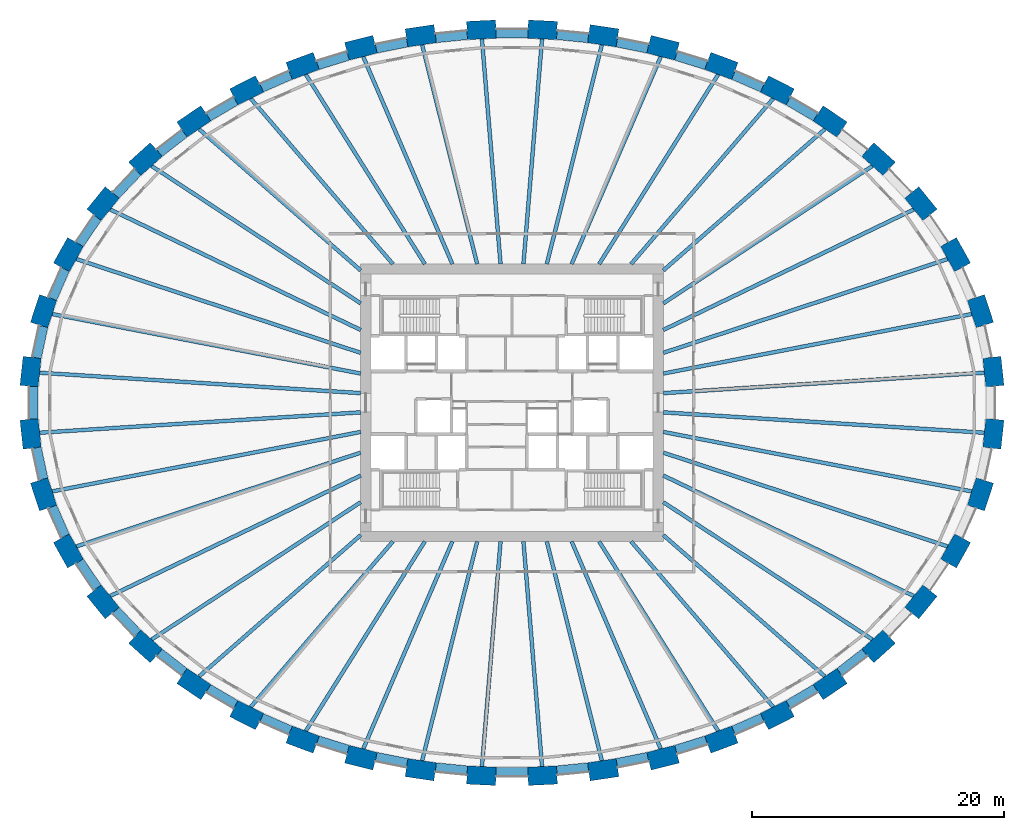
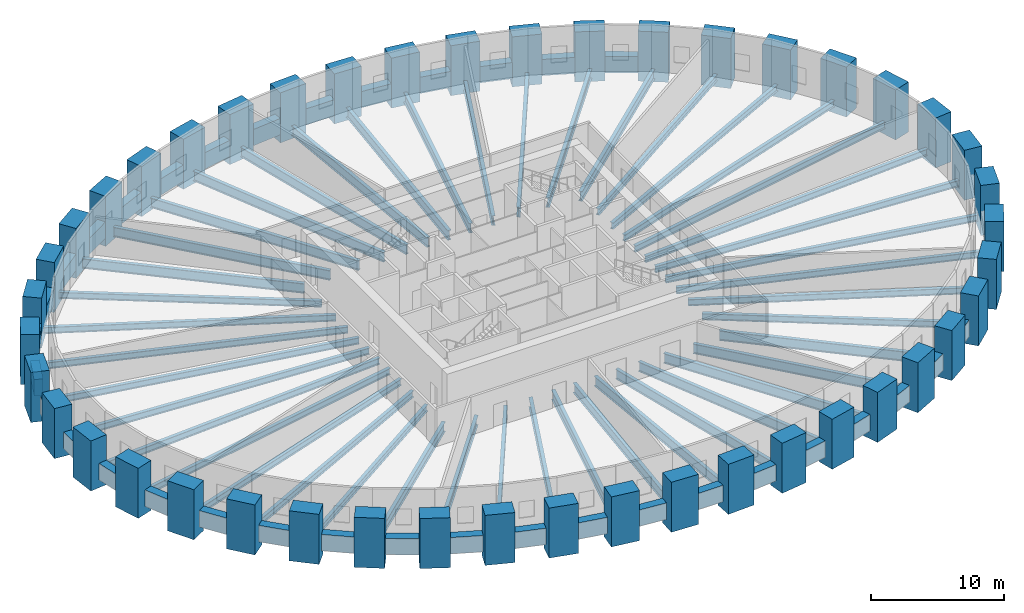
# One storey, part 1 of 9: 78 beams, 44 columns.
"""IFC4 building model written with IfcOpenShell, lengths in metres."""

from ifc_helpers import new_model, si_unit, direction, frame, origin, origin_2d, place, context, subcontext, project, spatial, rectangle, i_section, extrude, source, transform, mapped, material, material_profile, profile_set, type_object, element, save


model = new_model("IFC4")

# Units and contexts
model_context = context("Model", 3, precision=1e-05, world=origin(), true_north=direction((0.0, 1.0)))
body_context = subcontext(model_context, "Body", "Model", "MODEL_VIEW")
ifc_project = project(units=[si_unit("LENGTHUNIT", "METRE"), si_unit("AREAUNIT", "SQUARE_METRE"), si_unit("VOLUMEUNIT", "CUBIC_METRE"), si_unit("PLANEANGLEUNIT", "RADIAN"), si_unit("MASSUNIT", "GRAM", prefix="KILO")], contexts=[model_context])

# Site, building, storey
site_placement = place(None, origin())
site = spatial("IfcSite", under=ifc_project, at=site_placement, CompositionType="ELEMENT")
building_placement = place(site_placement, origin())
building = spatial("IfcBuilding", under=site, at=building_placement, Name="Embergate Tower", CompositionType="ELEMENT")
storey_placement = place(building_placement, frame((0.0, 0.0, 147.60009765625)))
storey = spatial("IfcBuildingStorey", under=building, at=storey_placement, Name="L32", CompositionType="ELEMENT", Elevation=147.60009765625)

# Columns
ifc_material_1 = material(Name="Concrete C70", Category="concrete")
ifc_material_profile_1 = material_profile(ifc_material_1, rectangle(XDim=1.449951171875, YDim=2.300048828125, at=origin_2d()), Name="RC 1450x2300")
ifc_profile_set_1 = profile_set([ifc_material_profile_1], Name="Concrete C70")
column_type = type_object("IfcColumnType", Name="Ring column RC 1450x2300 C70", PredefinedType="COLUMN", material=ifc_profile_set_1)
shared_shape_1 = source(origin(), body_context, "Body", "SweptSolid", [
    extrude(rectangle(XDim=1.449951171875, YDim=2.300048828125, at=origin_2d()), origin(), (0.0, 0.0, 1.0), 4.599853515625),
])
for number, where, z_axis, x_axis, name in (
    (1, (38.173095703125, 2.4560546875, -1.5), (0.0, 0.0, 1.0), (0.99428589498, 0.106749983816, 0.0), "COL-L32-00"),
    (2, (37.14111328125, 7.256103515625, -1.5), (0.0, 0.0, 1.0), (0.950754033697, 0.309946394413, 0.0), "COL-L32-01"),
    (3, (35.173095703125, 11.742919921875, -1.5), (0.0, 0.0, 1.0), (0.873491969053, 0.486838556403, 0.0), "COL-L32-02"),
    (4, (32.425048828125, 15.784912109375, -1.5), (0.0, 0.0, 1.0), (0.775914301615, 0.630838328377, 0.0), "COL-L32-03"),
    (5, (29.06103515625, 19.31298828125, -1.5), (0.0, 0.0, 1.0), (0.669208424634, 0.74307475021, 0.0), "COL-L32-04"),
    (6, (25.22607421875, 22.305908203125, -1.5), (0.0, 0.0, 1.0), (0.560378824075, 0.828236423691, 0.0), "COL-L32-05"),
    (7, (21.041015625, 24.76611328125, -1.5), (0.0, 0.0, 1.0), (0.452994952881, 0.891513080478, 0.0), "COL-L32-06"),
    (8, (16.60009765625, 26.7080078125, -1.5), (0.0, 0.0, 1.0), (0.348343015724, 0.93736713373, 0.0), "COL-L32-07"),
    (9, (11.97607421875, 28.14794921875, -1.5), (0.0, 0.0, 1.0), (0.246491603437, 0.969144926951, 0.0), "COL-L32-08"),
    (10, (7.23193359375, 29.10009765625, -1.5), (0.0, 0.0, 1.0), (0.146929011949, 0.989147039346, 0.0), "COL-L32-09"),
    (11, (2.41796875, 29.572998046875, -1.5), (0.0, 0.0, 1.0), (0.048814904854, 0.998807841912, 0.0), "COL-L32-10"),
    (12, (-2.41796875, 29.572998046875, -1.5), (0.0, 0.0, 1.0), (-0.048814904854, 0.998807841912, 0.0), "COL-L32-11"),
    (13, (-7.23193359375, 29.10009765625, -1.5), (0.0, 0.0, 1.0), (-0.146929011949, 0.989147039346, 0.0), "COL-L32-12"),
    (14, (-11.97607421875, 28.14794921875, -1.5), (0.0, 0.0, 1.0), (-0.246491603437, 0.969144926951, 0.0), "COL-L32-13"),
    (15, (-16.60009765625, 26.7080078125, -1.5), (0.0, 0.0, 1.0), (-0.348343015724, 0.93736713373, 0.0), "COL-L32-14"),
    (16, (-21.041015625, 24.76611328125, -1.5), (0.0, 0.0, 1.0), (-0.452994952881, 0.891513080478, 0.0), "COL-L32-15"),
    (17, (-25.22607421875, 22.305908203125, -1.5), (0.0, 0.0, 1.0), (-0.560378824075, 0.828236423691, 0.0), "COL-L32-16"),
    (18, (-29.06103515625, 19.31298828125, -1.5), (0.0, 0.0, 1.0), (-0.669208424634, 0.74307475021, 0.0), "COL-L32-17"),
    (19, (-32.425048828125, 15.784912109375, -1.5), (0.0, 0.0, 1.0), (-0.775914301615, 0.630838328377, 0.0), "COL-L32-18"),
    (20, (-35.173095703125, 11.742919921875, -1.5), (0.0, 0.0, 1.0), (-0.873491969053, 0.486838556403, 0.0), "COL-L32-19"),
    (21, (-37.14111328125, 7.256103515625, -1.5), (0.0, 0.0, 1.0), (-0.950754033697, 0.309946394413, 0.0), "COL-L32-20"),
    (22, (-38.173095703125, 2.4560546875, -1.5), (0.0, 0.0, 1.0), (-0.99428589498, 0.106749983816, 0.0), "COL-L32-21"),
    (23, (-38.173095703125, -2.4560546875, -1.5), (0.0, 0.0, 1.0), (-0.99428589498, -0.106749983816, 0.0), "COL-L32-22"),
    (24, (-37.14111328125, -7.256103515625, -1.5), (0.0, 0.0, 1.0), (-0.950754033697, -0.309946394413, 0.0), "COL-L32-23"),
    (25, (-35.173095703125, -11.742919921875, -1.5), (0.0, 0.0, 1.0), (-0.873491969053, -0.486838556403, 0.0), "COL-L32-24"),
    (26, (-32.425048828125, -15.784912109375, -1.5), (0.0, 0.0, 1.0), (-0.775914301615, -0.630838328377, 0.0), "COL-L32-25"),
    (27, (-29.06103515625, -19.31298828125, -1.5), (0.0, 0.0, 1.0), (-0.669208424634, -0.74307475021, 0.0), "COL-L32-26"),
    (28, (-25.22607421875, -22.305908203125, -1.5), (0.0, 0.0, 1.0), (-0.560378824075, -0.828236423691, 0.0), "COL-L32-27"),
    (29, (-21.041015625, -24.76611328125, -1.5), (0.0, 0.0, 1.0), (-0.452994952881, -0.891513080478, 0.0), "COL-L32-28"),
    (30, (-16.60009765625, -26.7080078125, -1.5), (0.0, 0.0, 1.0), (-0.348343015724, -0.93736713373, 0.0), "COL-L32-29"),
    (31, (-11.97607421875, -28.14794921875, -1.5), (0.0, 0.0, 1.0), (-0.246491603437, -0.969144926951, 0.0), "COL-L32-30"),
    (32, (-7.23193359375, -29.10009765625, -1.5), (0.0, 0.0, 1.0), (-0.146929011949, -0.989147039346, 0.0), "COL-L32-31"),
    (33, (-2.41796875, -29.572998046875, -1.5), (0.0, 0.0, 1.0), (-0.048814904854, -0.998807841912, 0.0), "COL-L32-32"),
    (34, (2.41796875, -29.572998046875, -1.5), (0.0, 0.0, 1.0), (0.048814904854, -0.998807841912, 0.0), "COL-L32-33"),
    (35, (7.23193359375, -29.10009765625, -1.5), (0.0, 0.0, 1.0), (0.146929011949, -0.989147039346, 0.0), "COL-L32-34"),
    (36, (11.97607421875, -28.14794921875, -1.5), (0.0, 0.0, 1.0), (0.246491603437, -0.969144926951, 0.0), "COL-L32-35"),
    (37, (16.60009765625, -26.7080078125, -1.5), (0.0, 0.0, 1.0), (0.348343015724, -0.93736713373, 0.0), "COL-L32-36"),
    (38, (21.041015625, -24.76611328125, -1.5), (0.0, 0.0, 1.0), (0.452994952881, -0.891513080478, 0.0), "COL-L32-37"),
    (39, (25.22607421875, -22.305908203125, -1.5), (0.0, 0.0, 1.0), (0.560378824075, -0.828236423691, 0.0), "COL-L32-38"),
    (40, (29.06103515625, -19.31298828125, -1.5), (0.0, 0.0, 1.0), (0.669208424634, -0.74307475021, 0.0), "COL-L32-39"),
    (41, (32.425048828125, -15.784912109375, -1.5), (0.0, 0.0, 1.0), (0.775914301615, -0.630838328377, 0.0), "COL-L32-40"),
    (42, (35.173095703125, -11.742919921875, -1.5), (0.0, 0.0, 1.0), (0.873491969053, -0.486838556403, 0.0), "COL-L32-41"),
    (43, (37.14111328125, -7.256103515625, -1.5), (0.0, 0.0, 1.0), (0.950754033697, -0.309946394413, 0.0), "COL-L32-42"),
    (44, (38.173095703125, -2.4560546875, -1.5), (0.0, 0.0, 1.0), (0.99428589498, -0.106749983816, 0.0), "COL-L32-43"),
):
    element("IfcColumn", number, at=place(storey_placement, frame(where, z_axis=z_axis, x_axis=x_axis)), inside=storey, type_object=column_type, Name=name, PredefinedType="COLUMN", context=body_context, shape_type="MappedRepresentation", body=[
        mapped(shared_shape_1, transform((0.0, 0.0, 0.0))),
    ])

# Beams
ifc_material_profile_2 = material_profile(ifc_material_1, rectangle(XDim=0.699951171875, YDim=1.5, at=origin_2d()), Name="RC 700x1500")
ifc_profile_set_2 = profile_set([ifc_material_profile_2], Name="Concrete C70")
beam_type_1 = type_object("IfcBeamType", Name="Spandrel beam RC 700x1500 C70", PredefinedType="BEAM", material=ifc_profile_set_2)
shared_shape_2 = source(origin(), body_context, "Body", "SweptSolid", [
    extrude(rectangle(XDim=0.699951171875, YDim=1.5, at=origin_2d()), origin(), (0.0, 0.0, 1.0), 2.5439453125),
])
for number, where, z_axis, x_axis, name in (
    (45, (-37.14404296875, 6.047119140625, 0.0), (-0.210269633901, -0.977643432474, 0.0), (0.977643432474, -0.210269633901, 0.0), "SPN-L32-20"),
    (46, (-37.922119140625, 1.27197265625, 0.0), (0.0, -1.0, 0.0), (1.0, 0.0, 0.0), "SPN-L32-21"),
    (47, (-37.678955078125, -3.56005859375, 0.0), (0.210269633901, -0.977643432474, 0.0), (0.977643432474, 0.210269633901, 0.0), "SPN-L32-22"),
):
    element("IfcBeam", number, at=place(storey_placement, frame(where, z_axis=z_axis, x_axis=x_axis)), inside=storey, type_object=beam_type_1, Name=name, PredefinedType="BEAM", context=body_context, shape_type="MappedRepresentation", body=[
        mapped(shared_shape_2, transform((0.0, 0.0, 0.0))),
    ])
shared_shape_3 = source(origin(), body_context, "Body", "SweptSolid", [
    extrude(rectangle(XDim=0.699951171875, YDim=1.5, at=origin_2d()), origin(), (0.0, 0.0, 1.0), 2.5400390625),
])
for number, where, z_axis, x_axis, name in (
    (48, (-35.416015625, 10.56201171875, 0.0), (-0.401942892026, -0.915664737526, 0.0), (0.915664737526, -0.401942892026, 0.0), "SPN-L32-19"),
    (49, (-36.43701171875, -8.236083984375, 0.0), (0.401942892026, -0.915664737526, 0.0), (0.915664737526, 0.401942892026, 0.0), "SPN-L32-23"),
):
    element("IfcBeam", number, at=place(storey_placement, frame(where, z_axis=z_axis, x_axis=x_axis)), inside=storey, type_object=beam_type_1, Name=name, PredefinedType="BEAM", context=body_context, shape_type="MappedRepresentation", body=[
        mapped(shared_shape_3, transform((0.0, 0.0, 0.0))),
    ])
shared_shape_4 = source(origin(), body_context, "Body", "SweptSolid", [
    extrude(rectangle(XDim=0.699951171875, YDim=1.5, at=origin_2d()), origin(), (0.0, 0.0, 1.0), 2.53076171875),
])
for number, where, z_axis, x_axis, name in (
    (50, (-32.862060546875, 14.657958984375, 0.0), (-0.562201835746, -0.827000057971, 0.0), (0.827000057971, -0.562201835746, 0.0), "SPN-L32-18"),
    (51, (-34.284912109375, -12.56494140625, 0.0), (0.562201835746, -0.827000057971, 0.0), (0.827000057971, 0.562201835746, 0.0), "SPN-L32-24"),
):
    element("IfcBeam", number, at=place(storey_placement, frame(where, z_axis=z_axis, x_axis=x_axis)), inside=storey, type_object=beam_type_1, Name=name, PredefinedType="BEAM", context=body_context, shape_type="MappedRepresentation", body=[
        mapped(shared_shape_4, transform((0.0, 0.0, 0.0))),
    ])
shared_shape_5 = source(origin(), body_context, "Body", "SweptSolid", [
    extrude(rectangle(XDim=0.699951171875, YDim=1.5, at=origin_2d()), origin(), (0.0, 0.0, 1.0), 2.525634765625),
])
for number, where, z_axis, x_axis, name in (
    (52, (-29.674072265625, 18.27490234375, 0.0), (-0.690087108464, -0.723726317562, 0.0), (0.723726317562, -0.690087108464, 0.0), "SPN-L32-17"),
    (53, (-31.4169921875, -16.447021484375, 0.0), (0.690087108464, -0.723726317562, 0.0), (0.723726317562, 0.690087108464, 0.0), "SPN-L32-25"),
):
    element("IfcBeam", number, at=place(storey_placement, frame(where, z_axis=z_axis, x_axis=x_axis)), inside=storey, type_object=beam_type_1, Name=name, PredefinedType="BEAM", context=body_context, shape_type="MappedRepresentation", body=[
        mapped(shared_shape_5, transform((0.0, 0.0, 0.0))),
    ])
shared_shape_6 = source(origin(), body_context, "Body", "SweptSolid", [
    extrude(rectangle(XDim=0.699951171875, YDim=1.5, at=origin_2d()), origin(), (0.0, 0.0, 1.0), 2.51806640625),
])
for number, where, z_axis, x_axis, name in (
    (54, (-25.969970703125, 21.35302734375, 0.0), (-0.788369690111, -0.6152017813, 0.0), (0.6152017813, -0.788369690111, 0.0), "SPN-L32-16"),
    (55, (-27.955078125, -19.803955078125, 0.0), (0.788369690111, -0.6152017813, 0.0), (0.6152017813, 0.788369690111, 0.0), "SPN-L32-26"),
    (56, (25.969970703125, -21.35302734375, 0.0), (0.788369690111, 0.6152017813, 0.0), (-0.6152017813, 0.788369690111, 0.0), "SPN-L32-38"),
):
    element("IfcBeam", number, at=place(storey_placement, frame(where, z_axis=z_axis, x_axis=x_axis)), inside=storey, type_object=beam_type_1, Name=name, PredefinedType="BEAM", context=body_context, shape_type="MappedRepresentation", body=[
        mapped(shared_shape_6, transform((0.0, 0.0, 0.0))),
    ])
shared_shape_7 = source(origin(), body_context, "Body", "SweptSolid", [
    extrude(rectangle(XDim=0.699951171875, YDim=1.5, at=origin_2d()), origin(), (0.0, 0.0, 1.0), 2.513916015625),
])
for number, where, z_axis, x_axis, name in (
    (57, (24.068115234375, 22.64599609375, 0.0), (-0.86209395101, 0.506748477681, 0.0), (-0.506748477681, -0.86209395101, 0.0), "SPN-L32-05"),
    (58, (-21.90087890625, 23.919921875, 0.0), (-0.86209395101, -0.506748477681, 0.0), (0.506748477681, -0.86209395101, 0.0), "SPN-L32-15"),
    (59, (-24.068115234375, -22.64599609375, 0.0), (0.86209395101, -0.506748477681, 0.0), (0.506748477681, 0.86209395101, 0.0), "SPN-L32-27"),
    (60, (21.90087890625, -23.919921875, 0.0), (0.86209395101, 0.506748477681, 0.0), (-0.506748477681, 0.86209395101, 0.0), "SPN-L32-37"),
):
    element("IfcBeam", number, at=place(storey_placement, frame(where, z_axis=z_axis, x_axis=x_axis)), inside=storey, type_object=beam_type_1, Name=name, PredefinedType="BEAM", context=body_context, shape_type="MappedRepresentation", body=[
        mapped(shared_shape_7, transform((0.0, 0.0, 0.0))),
    ])
shared_shape_8 = source(origin(), body_context, "Body", "SweptSolid", [
    extrude(rectangle(XDim=0.699951171875, YDim=1.5, at=origin_2d()), origin(), (0.0, 0.0, 1.0), 2.509521484375),
])
for number, where, z_axis, x_axis, name in (
    (61, (19.85205078125, 24.965087890625, 0.0), (-0.916155102063, 0.400823937613, 0.0), (-0.400823937613, -0.916155102063, 0.0), "SPN-L32-06"),
    (62, (-17.552978515625, 25.970947265625, 0.0), (-0.916155102063, -0.400823937613, 0.0), (0.400823937613, -0.916155102063, 0.0), "SPN-L32-14"),
    (63, (-19.85205078125, -24.965087890625, 0.0), (0.916155102063, -0.400823937613, 0.0), (0.400823937613, 0.916155102063, 0.0), "SPN-L32-28"),
    (64, (17.552978515625, -25.970947265625, 0.0), (0.916155102063, 0.400823937613, 0.0), (-0.400823937613, 0.916155102063, 0.0), "SPN-L32-36"),
):
    element("IfcBeam", number, at=place(storey_placement, frame(where, z_axis=z_axis, x_axis=x_axis)), inside=storey, type_object=beam_type_1, Name=name, PredefinedType="BEAM", context=body_context, shape_type="MappedRepresentation", body=[
        mapped(shared_shape_8, transform((0.0, 0.0, 0.0))),
    ])
shared_shape_9 = source(origin(), body_context, "Body", "SweptSolid", [
    extrude(rectangle(XDim=0.699951171875, YDim=1.5, at=origin_2d()), origin(), (0.0, 0.0, 1.0), 2.50634765625),
])
for number, where, z_axis, x_axis, name in (
    (65, (15.39111328125, 26.756103515625, 0.0), (-0.954815627666, 0.297198783923, 0.0), (-0.297198783923, -0.954815627666, 0.0), "SPN-L32-07"),
    (66, (-12.998046875, 27.5009765625, 0.0), (-0.954815627666, -0.297198783923, 0.0), (0.297198783923, -0.954815627666, 0.0), "SPN-L32-13"),
    (67, (-15.39111328125, -26.756103515625, 0.0), (0.954815627666, -0.297198783923, 0.0), (0.297198783923, 0.954815627666, 0.0), "SPN-L32-29"),
    (68, (12.998046875, -27.5009765625, 0.0), (0.954815627666, 0.297198783923, 0.0), (-0.297198783923, 0.954815627666, 0.0), "SPN-L32-35"),
):
    element("IfcBeam", number, at=place(storey_placement, frame(where, z_axis=z_axis, x_axis=x_axis)), inside=storey, type_object=beam_type_1, Name=name, PredefinedType="BEAM", context=body_context, shape_type="MappedRepresentation", body=[
        mapped(shared_shape_9, transform((0.0, 0.0, 0.0))),
    ])
shared_shape_10 = source(origin(), body_context, "Body", "SweptSolid", [
    extrude(rectangle(XDim=0.699951171875, YDim=1.5, at=origin_2d()), origin(), (0.0, 0.0, 1.0), 2.5029296875),
])
for number, where, z_axis, x_axis, name in (
    (69, (10.76904296875, 28.070068359375, 0.0), (-0.980494293439, 0.196547552853, 0.0), (-0.196547552853, -0.980494293439, 0.0), "SPN-L32-08"),
    (70, (6.0400390625, 28.902099609375, 0.0), (-0.995240775263, 0.097446391697, 0.0), (-0.097446391697, -0.995240775263, 0.0), "SPN-L32-09"),
    (71, (-3.549072265625, 29.14599609375, 0.0), (-0.995240775263, -0.097446391697, 0.0), (0.097446391697, -0.995240775263, 0.0), "SPN-L32-11"),
    (72, (-8.31494140625, 28.56201171875, 0.0), (-0.980494293439, -0.196547552853, 0.0), (0.196547552853, -0.980494293439, 0.0), "SPN-L32-12"),
    (73, (-10.76904296875, -28.070068359375, 0.0), (0.980494293439, -0.196547552853, 0.0), (0.196547552853, 0.980494293439, 0.0), "SPN-L32-30"),
    (74, (-6.0400390625, -28.902099609375, 0.0), (0.995240775263, -0.097446391697, 0.0), (0.097446391697, 0.995240775263, 0.0), "SPN-L32-31"),
    (75, (3.549072265625, -29.14599609375, 0.0), (0.995240775263, 0.097446391697, 0.0), (-0.097446391697, 0.995240775263, 0.0), "SPN-L32-33"),
    (76, (8.31494140625, -28.56201171875, 0.0), (0.980494293439, 0.196547552853, 0.0), (-0.196547552853, 0.980494293439, 0.0), "SPN-L32-34"),
):
    element("IfcBeam", number, at=place(storey_placement, frame(where, z_axis=z_axis, x_axis=x_axis)), inside=storey, type_object=beam_type_1, Name=name, PredefinedType="BEAM", context=body_context, shape_type="MappedRepresentation", body=[
        mapped(shared_shape_10, transform((0.0, 0.0, 0.0))),
    ])
shared_shape_11 = source(origin(), body_context, "Body", "SweptSolid", [
    extrude(rectangle(XDim=0.699951171875, YDim=1.5, at=origin_2d()), origin(), (0.0, 0.0, 1.0), 2.501953125),
])
for number, where, z_axis, x_axis, name in (
    (77, (1.2509765625, 29.259033203125, 0.0), (-1.0, 0.0, 0.0), (0.0, -1.0, 0.0), "SPN-L32-10"),
    (78, (-1.2509765625, -29.259033203125, 0.0), (1.0, 0.0, 0.0), (0.0, 1.0, 0.0), "SPN-L32-32"),
):
    element("IfcBeam", number, at=place(storey_placement, frame(where, z_axis=z_axis, x_axis=x_axis)), inside=storey, type_object=beam_type_1, Name=name, PredefinedType="BEAM", context=body_context, shape_type="MappedRepresentation", body=[
        mapped(shared_shape_11, transform((0.0, 0.0, 0.0))),
    ])
ifc_material_2 = material(Name="Steel Q355B", Category="steel")
ifc_material_profile_3 = material_profile(ifc_material_2, i_section(OverallWidth=0.300048828125, OverallDepth=0.587890625, WebThickness=0.011962890625, FlangeThickness=0.02001953125, FilletRadius=0.012939453125, at=origin_2d()), Name="HM 588x300x12x20")
ifc_profile_set_3 = profile_set([ifc_material_profile_3], Name="Steel Q355 grade B")
beam_type_2 = type_object("IfcBeamType", Name="Plant girder HM 588x300x12x20", PredefinedType="BEAM", material=ifc_profile_set_3)
shared_shape_12 = source(origin(), body_context, "Body", "SweptSolid", [
    extrude(i_section(OverallWidth=0.300048828125, OverallDepth=0.587890625, WebThickness=0.011962890625, FlangeThickness=0.02001953125, FilletRadius=0.012939453125, at=origin_2d()), origin(), (0.0, 0.0, 1.0), 25.503173828125),
])
for number, where, z_axis, x_axis, name in (
    (79, (37.451904296875, 2.37890625, -0.593994140625), (-0.997988097743, -0.063401551749, 0.0), (0.063401551749, -0.997988097743, 0.0), "GIR-L32-00"),
    (80, (-37.451904296875, 2.37890625, -0.593994140625), (0.997988097743, -0.063401551749, 0.0), (0.063401551749, 0.997988097743, 0.0), "GIR-L32-21"),
    (81, (-37.451904296875, -2.37890625, -0.593994140625), (0.997988097743, 0.063401551749, 0.0), (-0.063401551749, 0.997988097743, 0.0), "GIR-L32-22"),
    (82, (37.451904296875, -2.37890625, -0.593994140625), (-0.997988097743, 0.063401551749, 0.0), (-0.063401551749, -0.997988097743, 0.0), "GIR-L32-43"),
):
    element("IfcBeam", number, at=place(storey_placement, frame(where, z_axis=z_axis, x_axis=x_axis)), inside=storey, type_object=beam_type_2, Name=name, PredefinedType="BEAM", context=body_context, shape_type="MappedRepresentation", body=[
        mapped(shared_shape_12, transform((0.0, 0.0, 0.0))),
    ])
shared_shape_13 = source(origin(), body_context, "Body", "SweptSolid", [
    extrude(i_section(OverallWidth=0.300048828125, OverallDepth=0.587890625, WebThickness=0.011962890625, FlangeThickness=0.02001953125, FilletRadius=0.012939453125, at=origin_2d()), origin(), (0.0, 0.0, 1.0), 24.902587890625),
])
for number, where, z_axis, x_axis, name in (
    (83, (36.451904296875, 7.031005859375, -0.593994140625), (-0.981903718395, -0.189380801041, 0.0), (0.189380801041, -0.981903718395, 0.0), "GIR-L32-01"),
    (84, (-36.451904296875, 7.031005859375, -0.593994140625), (0.981903718395, -0.189380801041, 0.0), (0.189380801041, 0.981903718395, 0.0), "GIR-L32-20"),
    (85, (-36.451904296875, -7.031005859375, -0.593994140625), (0.981903718395, 0.189380801041, 0.0), (-0.189380801041, 0.981903718395, 0.0), "GIR-L32-23"),
    (86, (36.451904296875, -7.031005859375, -0.593994140625), (-0.981903718395, 0.189380801041, 0.0), (-0.189380801041, -0.981903718395, 0.0), "GIR-L32-42"),
):
    element("IfcBeam", number, at=place(storey_placement, frame(where, z_axis=z_axis, x_axis=x_axis)), inside=storey, type_object=beam_type_2, Name=name, PredefinedType="BEAM", context=body_context, shape_type="MappedRepresentation", body=[
        mapped(shared_shape_13, transform((0.0, 0.0, 0.0))),
    ])
shared_shape_14 = source(origin(), body_context, "Body", "SweptSolid", [
    extrude(i_section(OverallWidth=0.300048828125, OverallDepth=0.587890625, WebThickness=0.011962890625, FlangeThickness=0.02001953125, FilletRadius=0.012939453125, at=origin_2d()), origin(), (0.0, 0.0, 1.0), 23.73388671875),
])
for number, where, z_axis, x_axis, name in (
    (87, (34.5400390625, 11.389892578125, -0.593994140625), (-0.949695728794, -0.313174109258, 0.0), (0.313174109258, -0.949695728794, 0.0), "GIR-L32-02"),
    (88, (-34.5400390625, 11.389892578125, -0.593994140625), (0.949695728794, -0.313174109258, 0.0), (0.313174109258, 0.949695728794, 0.0), "GIR-L32-19"),
    (89, (-34.5400390625, -11.389892578125, -0.593994140625), (0.949695728794, 0.313174109258, 0.0), (-0.313174109258, 0.949695728794, 0.0), "GIR-L32-24"),
    (90, (34.5400390625, -11.389892578125, -0.593994140625), (-0.949695728794, 0.313174109258, 0.0), (-0.313174109258, -0.949695728794, 0.0), "GIR-L32-41"),
):
    element("IfcBeam", number, at=place(storey_placement, frame(where, z_axis=z_axis, x_axis=x_axis)), inside=storey, type_object=beam_type_2, Name=name, PredefinedType="BEAM", context=body_context, shape_type="MappedRepresentation", body=[
        mapped(shared_shape_14, transform((0.0, 0.0, 0.0))),
    ])
shared_shape_15 = source(origin(), body_context, "Body", "SweptSolid", [
    extrude(i_section(OverallWidth=0.300048828125, OverallDepth=0.587890625, WebThickness=0.011962890625, FlangeThickness=0.02001953125, FilletRadius=0.012939453125, at=origin_2d()), origin(), (0.0, 0.0, 1.0), 22.040771484375),
])
for number, where, z_axis, x_axis, name in (
    (91, (31.862060546875, 15.327880859375, -0.593994140625), (-0.901148502152, -0.433510527057, 0.0), (0.433510527057, -0.901148502152, 0.0), "GIR-L32-03"),
    (92, (-31.862060546875, 15.327880859375, -0.593994140625), (0.901148502152, -0.433510527057, 0.0), (0.433510527057, 0.901148502152, 0.0), "GIR-L32-18"),
    (93, (-31.862060546875, -15.327880859375, -0.593994140625), (0.901148502152, 0.433510527057, 0.0), (-0.433510527057, 0.901148502152, 0.0), "GIR-L32-25"),
    (94, (31.862060546875, -15.327880859375, -0.593994140625), (-0.901148502152, 0.433510527057, 0.0), (-0.433510527057, -0.901148502152, 0.0), "GIR-L32-40"),
):
    element("IfcBeam", number, at=place(storey_placement, frame(where, z_axis=z_axis, x_axis=x_axis)), inside=storey, type_object=beam_type_2, Name=name, PredefinedType="BEAM", context=body_context, shape_type="MappedRepresentation", body=[
        mapped(shared_shape_15, transform((0.0, 0.0, 0.0))),
    ])
shared_shape_16 = source(origin(), body_context, "Body", "SweptSolid", [
    extrude(i_section(OverallWidth=0.300048828125, OverallDepth=0.587890625, WebThickness=0.011962890625, FlangeThickness=0.02001953125, FilletRadius=0.012939453125, at=origin_2d()), origin(), (0.0, 0.0, 1.0), 19.8330078125),
])
for number, where, z_axis, x_axis, name in (
    (95, (28.575927734375, 18.77392578125, -0.593994140625), (-0.835771654423, -0.549077172775, 0.0), (0.549077172775, -0.835771654423, 0.0), "GIR-L32-04"),
    (96, (-28.575927734375, 18.77392578125, -0.593994140625), (0.835771654423, -0.549077172775, 0.0), (0.549077172775, 0.835771654423, 0.0), "GIR-L32-17"),
    (97, (-28.575927734375, -18.77392578125, -0.593994140625), (0.835771654423, 0.549077172775, 0.0), (-0.549077172775, 0.835771654423, 0.0), "GIR-L32-26"),
    (98, (28.575927734375, -18.77392578125, -0.593994140625), (-0.835771654423, 0.549077172775, 0.0), (-0.549077172775, -0.835771654423, 0.0), "GIR-L32-39"),
):
    element("IfcBeam", number, at=place(storey_placement, frame(where, z_axis=z_axis, x_axis=x_axis)), inside=storey, type_object=beam_type_2, Name=name, PredefinedType="BEAM", context=body_context, shape_type="MappedRepresentation", body=[
        mapped(shared_shape_16, transform((0.0, 0.0, 0.0))),
    ])
ifc_material_profile_4 = material_profile(ifc_material_2, i_section(OverallWidth=0.300048828125, OverallDepth=0.89990234375, WebThickness=0.01611328125, FlangeThickness=0.028076171875, FilletRadius=0.028076171875, at=origin_2d()), Name="HN 900x300x16x28")
ifc_profile_set_4 = profile_set([ifc_material_profile_4], Name="Steel Q355 grade B")
beam_type_3 = type_object("IfcBeamType", Name="Plant girder HN 900x300x16x28", PredefinedType="BEAM", material=ifc_profile_set_4)
shared_shape_17 = source(origin(), body_context, "Body", "SweptSolid", [
    extrude(i_section(OverallWidth=0.300048828125, OverallDepth=0.89990234375, WebThickness=0.01611328125, FlangeThickness=0.028076171875, FilletRadius=0.028076171875, at=origin_2d()), origin(), (0.0, 0.0, 1.0), 17.03125),
])
for number, where, z_axis, x_axis, name in (
    (99, (24.820068359375, 21.7060546875, -0.75), (-0.752733848469, -0.658324960312, 0.0), (0.658324960312, -0.752733848469, 0.0), "GIR-L32-05"),
    (100, (-24.820068359375, 21.7060546875, -0.75), (0.752733848469, -0.658324960312, 0.0), (0.658324960312, 0.752733848469, 0.0), "GIR-L32-16"),
    (101, (-24.820068359375, -21.7060546875, -0.75), (0.752733848469, 0.658324960312, 0.0), (-0.658324960312, 0.752733848469, 0.0), "GIR-L32-27"),
    (102, (24.820068359375, -21.7060546875, -0.75), (-0.752733848469, 0.658324960312, 0.0), (-0.658324960312, -0.752733848469, 0.0), "GIR-L32-38"),
):
    element("IfcBeam", number, at=place(storey_placement, frame(where, z_axis=z_axis, x_axis=x_axis)), inside=storey, type_object=beam_type_3, Name=name, PredefinedType="BEAM", context=body_context, shape_type="MappedRepresentation", body=[
        mapped(shared_shape_17, transform((0.0, 0.0, 0.0))),
    ])
shared_shape_18 = source(origin(), body_context, "Body", "SweptSolid", [
    extrude(i_section(OverallWidth=0.300048828125, OverallDepth=0.89990234375, WebThickness=0.01611328125, FlangeThickness=0.028076171875, FilletRadius=0.028076171875, at=origin_2d()), origin(), (0.0, 0.0, 1.0), 17.2939453125),
])
for number, where, z_axis, x_axis, name in (
    (103, (20.712890625, 24.1201171875, -0.75), (-0.651492136872, -0.758655386585, 0.0), (0.758655386585, -0.651492136872, 0.0), "GIR-L32-06"),
    (104, (-20.712890625, 24.1201171875, -0.75), (0.651492136872, -0.758655386585, 0.0), (0.758655386585, 0.651492136872, 0.0), "GIR-L32-15"),
    (105, (-20.712890625, -24.1201171875, -0.75), (0.651492136872, 0.758655386585, 0.0), (-0.758655386585, 0.651492136872, 0.0), "GIR-L32-28"),
    (106, (20.712890625, -24.1201171875, -0.75), (-0.651492136872, 0.758655386585, 0.0), (-0.758655386585, -0.651492136872, 0.0), "GIR-L32-37"),
):
    element("IfcBeam", number, at=place(storey_placement, frame(where, z_axis=z_axis, x_axis=x_axis)), inside=storey, type_object=beam_type_3, Name=name, PredefinedType="BEAM", context=body_context, shape_type="MappedRepresentation", body=[
        mapped(shared_shape_18, transform((0.0, 0.0, 0.0))),
    ])
shared_shape_19 = source(origin(), body_context, "Body", "SweptSolid", [
    extrude(i_section(OverallWidth=0.300048828125, OverallDepth=0.89990234375, WebThickness=0.01611328125, FlangeThickness=0.028076171875, FilletRadius=0.028076171875, at=origin_2d()), origin(), (0.0, 0.0, 1.0), 17.745849609375),
])
for number, where, z_axis, x_axis, name in (
    (107, (16.346923828125, 26.028076171875, -0.75), (-0.531839036976, -0.846845463321, 0.0), (0.846845463321, -0.531839036976, 0.0), "GIR-L32-07"),
    (108, (-16.346923828125, 26.028076171875, -0.75), (0.531839036976, -0.846845463321, 0.0), (0.846845463321, 0.531839036976, 0.0), "GIR-L32-14"),
    (109, (-16.346923828125, -26.028076171875, -0.75), (0.531839036976, 0.846845463321, 0.0), (-0.846845463321, 0.531839036976, 0.0), "GIR-L32-29"),
    (110, (16.346923828125, -26.028076171875, -0.75), (-0.531839036976, 0.846845463321, 0.0), (-0.846845463321, -0.531839036976, 0.0), "GIR-L32-36"),
):
    element("IfcBeam", number, at=place(storey_placement, frame(where, z_axis=z_axis, x_axis=x_axis)), inside=storey, type_object=beam_type_3, Name=name, PredefinedType="BEAM", context=body_context, shape_type="MappedRepresentation", body=[
        mapped(shared_shape_19, transform((0.0, 0.0, 0.0))),
    ])
shared_shape_20 = source(origin(), body_context, "Body", "SweptSolid", [
    extrude(i_section(OverallWidth=0.300048828125, OverallDepth=0.89990234375, WebThickness=0.01611328125, FlangeThickness=0.028076171875, FilletRadius=0.028076171875, at=origin_2d()), origin(), (0.0, 0.0, 1.0), 17.900146484375),
])
for number, where, z_axis, x_axis, name in (
    (111, (11.797119140625, 27.445068359375, -0.75), (-0.39491989218, -0.918715559224, 0.0), (0.918715559224, -0.39491989218, 0.0), "GIR-L32-08"),
    (112, (-11.797119140625, 27.445068359375, -0.75), (0.39491989218, -0.918715559224, 0.0), (0.918715559224, 0.39491989218, 0.0), "GIR-L32-13"),
    (113, (-11.797119140625, -27.445068359375, -0.75), (0.39491989218, 0.918715559224, 0.0), (-0.918715559224, 0.39491989218, 0.0), "GIR-L32-30"),
    (114, (11.797119140625, -27.445068359375, -0.75), (-0.39491989218, 0.918715559224, 0.0), (-0.918715559224, -0.39491989218, 0.0), "GIR-L32-35"),
):
    element("IfcBeam", number, at=place(storey_placement, frame(where, z_axis=z_axis, x_axis=x_axis)), inside=storey, type_object=beam_type_3, Name=name, PredefinedType="BEAM", context=body_context, shape_type="MappedRepresentation", body=[
        mapped(shared_shape_20, transform((0.0, 0.0, 0.0))),
    ])
shared_shape_21 = source(origin(), body_context, "Body", "SweptSolid", [
    extrude(i_section(OverallWidth=0.300048828125, OverallDepth=0.89990234375, WebThickness=0.01611328125, FlangeThickness=0.028076171875, FilletRadius=0.028076171875, at=origin_2d()), origin(), (0.0, 0.0, 1.0), 17.92236328125),
])
for number, where, z_axis, x_axis, name in (
    (115, (7.125, 28.383056640625, -0.75), (-0.243442598257, -0.969915306279, 0.0), (0.969915306279, -0.243442598257, 0.0), "GIR-L32-09"),
    (116, (-7.125, 28.383056640625, -0.75), (0.243442598257, -0.969915306279, 0.0), (0.969915306279, 0.243442598257, 0.0), "GIR-L32-12"),
    (117, (-7.125, -28.383056640625, -0.75), (0.243442598257, 0.969915306279, 0.0), (-0.969915306279, 0.243442598257, 0.0), "GIR-L32-31"),
    (118, (7.125, -28.383056640625, -0.75), (-0.243442598257, 0.969915306279, 0.0), (-0.969915306279, -0.243442598257, 0.0), "GIR-L32-34"),
):
    element("IfcBeam", number, at=place(storey_placement, frame(where, z_axis=z_axis, x_axis=x_axis)), inside=storey, type_object=beam_type_3, Name=name, PredefinedType="BEAM", context=body_context, shape_type="MappedRepresentation", body=[
        mapped(shared_shape_21, transform((0.0, 0.0, 0.0))),
    ])
shared_shape_22 = source(origin(), body_context, "Body", "SweptSolid", [
    extrude(i_section(OverallWidth=0.300048828125, OverallDepth=0.89990234375, WebThickness=0.01611328125, FlangeThickness=0.028076171875, FilletRadius=0.028076171875, at=origin_2d()), origin(), (0.0, 0.0, 1.0), 17.909912109375),
])
for number, where, z_axis, x_axis, name in (
    (119, (2.383056640625, 28.84912109375, -0.75), (-0.082361814664, -0.99660249422, 0.0), (0.99660249422, -0.082361814664, 0.0), "GIR-L32-10"),
    (120, (-2.383056640625, 28.84912109375, -0.75), (0.082361814664, -0.99660249422, 0.0), (0.99660249422, 0.082361814664, 0.0), "GIR-L32-11"),
    (121, (-2.383056640625, -28.84912109375, -0.75), (0.082361814664, 0.99660249422, 0.0), (-0.99660249422, 0.082361814664, 0.0), "GIR-L32-32"),
    (122, (2.383056640625, -28.84912109375, -0.75), (-0.082361814664, 0.99660249422, 0.0), (-0.99660249422, -0.082361814664, 0.0), "GIR-L32-33"),
):
    element("IfcBeam", number, at=place(storey_placement, frame(where, z_axis=z_axis, x_axis=x_axis)), inside=storey, type_object=beam_type_3, Name=name, PredefinedType="BEAM", context=body_context, shape_type="MappedRepresentation", body=[
        mapped(shared_shape_22, transform((0.0, 0.0, 0.0))),
    ])

save(model, "model.ifc")
